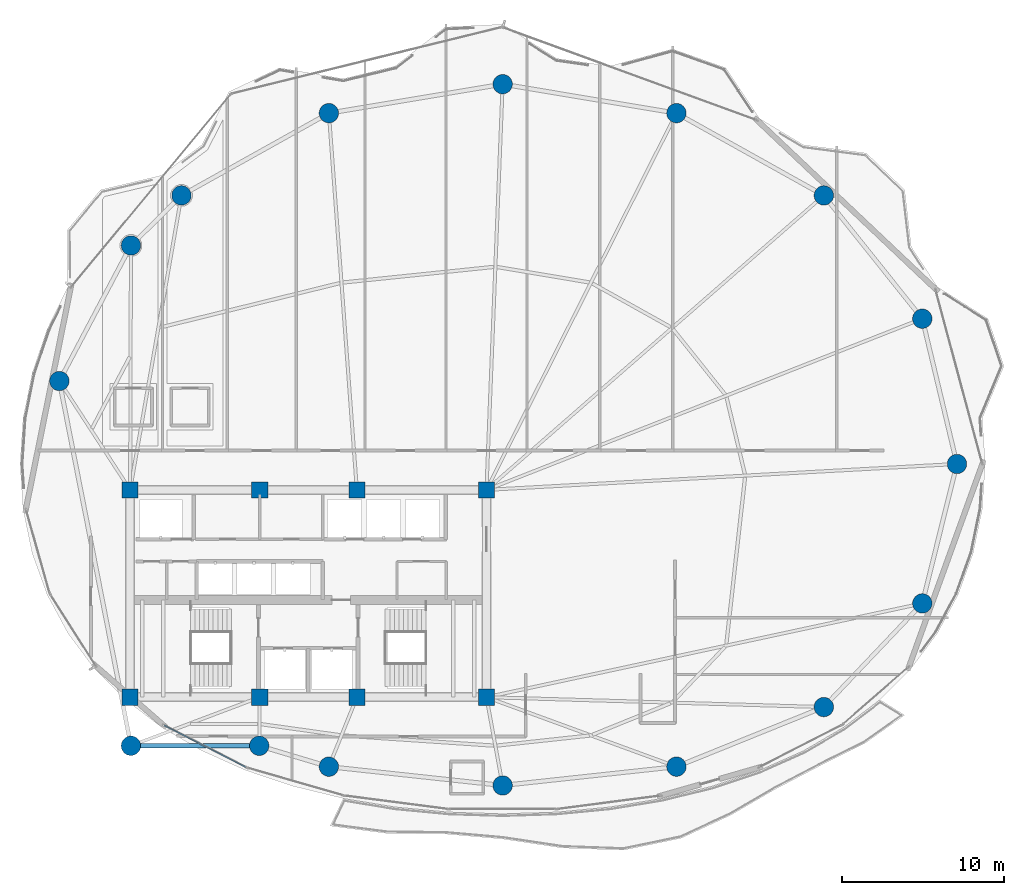
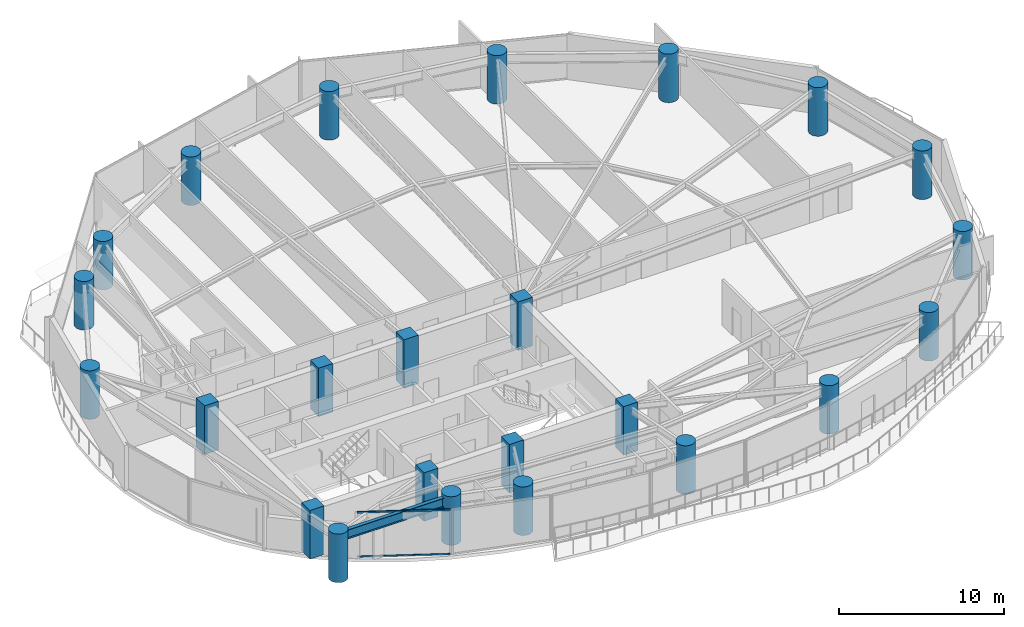
# One storey, part 1 of 28: 24 columns, 2 members, 1 beam, 1 element without a shape of its own.
"""IFC4 building model written with IfcOpenShell, lengths in metres."""

from ifc_helpers import new_model, si_unit, direction, frame, origin, origin_2d, place, context, subcontext, project, spatial, rectangle, hollow_rectangle, circle, i_section, extrude, material, layer, layer_set, material_profile, profile_set, type_object, element, aggregate, save


model = new_model("IFC4")

# Units and contexts
model_context = context("Model", 3, precision=1e-05, world=origin(), true_north=direction((0.0, 1.0)))
body_context = subcontext(model_context, "Body", "Model", "MODEL_VIEW")
ifc_project = project(units=[si_unit("LENGTHUNIT", "METRE"), si_unit("AREAUNIT", "SQUARE_METRE"), si_unit("VOLUMEUNIT", "CUBIC_METRE"), si_unit("PLANEANGLEUNIT", "RADIAN"), si_unit("MASSUNIT", "GRAM", prefix="KILO")], contexts=[model_context])

# Site, building, storey
site_placement = place(None, origin())
site = spatial("IfcSite", under=ifc_project, at=site_placement, CompositionType="ELEMENT")
building_placement = place(site_placement, origin())
building = spatial("IfcBuilding", under=site, at=building_placement, Name="Kazevale Care Tower and Concert Hall", CompositionType="ELEMENT")
storey_placement = place(building_placement, frame((0.0, 0.0, 106.199951171875)))
storey = spatial("IfcBuildingStorey", under=building, at=storey_placement, Name="L27", CompositionType="ELEMENT", Elevation=106.199951171875)

# Columns
ifc_material_1 = material(Name="Concrete C60", Category="concrete")
ifc_material_profile_1 = material_profile(ifc_material_1, rectangle(XDim=1.0, YDim=1.0, at=origin_2d()), Name="RC-SQ1000")
ifc_profile_set_1 = profile_set([ifc_material_profile_1], Name="Concrete C60")
column_type_1 = type_object("IfcColumnType", Name="Core Column SQ1000 C60", PredefinedType="COLUMN", material=ifc_profile_set_1)
for number, where, z_axis, x_axis, name in (
    (1, (22.0, 23.60009765625, 0.0), (0.0, 0.0, 1.0), (1.0, 0.0, 0.0), "col:L27:CC-01"),
    (2, (30.0, 23.60009765625, 0.0), (0.0, 0.0, 1.0), (1.0, 0.0, 0.0), "col:L27:CC-02"),
    (3, (36.0, 23.60009765625, 0.0), (0.0, 0.0, 1.0), (1.0, 0.0, 0.0), "col:L27:CC-03"),
    (4, (44.0, 23.60009765625, 0.0), (0.0, 0.0, 1.0), (1.0, 0.0, 0.0), "col:L27:CC-04"),
    (5, (44.0, 36.39990234375, 0.0), (0.0, 0.0, 1.0), (1.0, 0.0, 0.0), "col:L27:CC-05"),
    (6, (36.0, 36.39990234375, 0.0), (0.0, 0.0, 1.0), (1.0, 0.0, 0.0), "col:L27:CC-06"),
    (7, (30.0, 36.39990234375, 0.0), (0.0, 0.0, 1.0), (1.0, 0.0, 0.0), "col:L27:CC-07"),
    (8, (22.0, 36.39990234375, 0.0), (0.0, 0.0, 1.0), (1.0, 0.0, 0.0), "col:L27:CC-08"),
):
    element("IfcColumn", number, at=place(storey_placement, frame(where, z_axis=z_axis, x_axis=x_axis)), inside=storey, type_object=column_type_1, Name=name, PredefinedType="COLUMN", context=body_context, shape_type="SweptSolid", body=[
        extrude(rectangle(XDim=1.0, YDim=1.0, at=origin_2d()), origin(), (0.0, 0.0, 1.0), 3.60009765625),
    ])
ifc_material_profile_2 = material_profile(ifc_material_1, circle(Radius=0.60009765625, at=origin_2d()), Name="RC-CIR1200")
ifc_profile_set_2 = profile_set([ifc_material_profile_2], Name="Concrete C60")
column_type_2 = type_object("IfcColumnType", Name="Perimeter Column CIR1200 C60", PredefinedType="COLUMN", material=ifc_profile_set_2)
for number, where, z_axis, x_axis, name in (
    (9, (73.050048828125, 38.0, 0.0), (0.0, 0.0, 1.0), (1.0, 0.0, 0.0), "col:L27:PC-01"),
    (10, (70.909912109375, 46.969970703125, 0.0), (0.0, 0.0, 1.0), (1.0, 0.0, 0.0), "col:L27:PC-02"),
    (11, (64.830078125, 54.580078125, 0.0), (0.0, 0.0, 1.0), (1.0, 0.0, 0.0), "col:L27:PC-03"),
    (12, (55.72998046875, 59.659912109375, 0.0), (0.0, 0.0, 1.0), (1.0, 0.0, 0.0), "col:L27:PC-04"),
    (13, (45.0, 61.449951171875, 0.0), (0.0, 0.0, 1.0), (1.0, 0.0, 0.0), "col:L27:PC-05"),
    (14, (34.27001953125, 59.659912109375, 0.0), (0.0, 0.0, 1.0), (1.0, 0.0, 0.0), "col:L27:PC-06"),
    (15, (25.169921875, 54.580078125, 0.0), (0.0, 0.0, 1.0), (1.0, 0.0, 0.0), "col:L27:PC-07"),
    (16, (22.050048828125, 51.489990234375, 0.0), (0.0, 0.0, 1.0), (1.0, 0.0, 0.0), "col:L27:PC-08"),
    (17, (17.6298828125, 43.1201171875, 0.0), (0.0, 0.0, 1.0), (1.0, 0.0, 0.0), "col:L27:PC-09"),
    (18, (22.050048828125, 20.60009765625, 0.0), (0.0, 0.0, 1.0), (1.0, 0.0, 0.0), "col:L27:PC-10"),
    (19, (29.969970703125, 20.60009765625, 0.0), (0.0, 0.0, 1.0), (1.0, 0.0, 0.0), "col:L27:PC-11"),
    (20, (34.27001953125, 19.31005859375, 0.0), (0.0, 0.0, 1.0), (1.0, 0.0, 0.0), "col:L27:PC-12"),
    (21, (45.0, 18.14990234375, 0.0), (0.0, 0.0, 1.0), (1.0, 0.0, 0.0), "col:L27:PC-13"),
    (22, (55.72998046875, 19.31005859375, 0.0), (0.0, 0.0, 1.0), (1.0, 0.0, 0.0), "col:L27:PC-14"),
    (23, (64.830078125, 22.989990234375, 0.0), (0.0, 0.0, 1.0), (1.0, 0.0, 0.0), "col:L27:PC-15"),
    (24, (70.909912109375, 29.389892578125, 0.0), (0.0, 0.0, 1.0), (1.0, 0.0, 0.0), "col:L27:PC-16"),
):
    element("IfcColumn", number, at=place(storey_placement, frame(where, z_axis=z_axis, x_axis=x_axis)), inside=storey, type_object=column_type_2, Name=name, PredefinedType="COLUMN", context=body_context, shape_type="SweptSolid", body=[
        extrude(circle(Radius=0.60009765625, at=origin_2d()), origin(), (0.0, 0.0, 1.0), 3.60009765625),
    ])

# Curtain wall, members
ifc_material_2 = material(Name="Aluminium 6063-T6 and Low-E Glass", Category="aluminium")
ifc_layer = layer(ifc_material_2, 0.179931640625)
ifc_layer_set = layer_set([ifc_layer], Name="Aluminium 6063-T6 and Low-E Glass")
curtain_wall_type = type_object("IfcCurtainWallType", Name="Sheltered Concave Balcony Curtain Wall CW-5", PredefinedType="NOTDEFINED", material=ifc_layer_set)
curtain_wall_placement = place(storey_placement, origin())
curtain_wall = element("IfcCurtainWall", 25, at=curtain_wall_placement, inside=storey, type_object=curtain_wall_type, Name="cw:L27:f09", PredefinedType="NOTDEFINED")
ifc_material_3 = material(Name="Aluminium 6063-T6", Category="aluminium")
ifc_material_profile_3 = material_profile(ifc_material_3, hollow_rectangle(XDim=0.074951171875, YDim=0.1201171875, WallThickness=0.00390625, at=origin_2d()), Name="ALU75x120x4")
ifc_profile_set_3 = profile_set([ifc_material_profile_3], Name="Aluminium 6063-T6")
member_type = type_object("IfcMemberType", Name="CW-5 Transom ALU75x120x4", PredefinedType="USERDEFINED", material=ifc_profile_set_3)
member_1_placement = place(storey_placement, frame((29.144287109375, 19.279296875, 0.03759765625), z_axis=(-0.890142600475, 0.455682072084, 0.0), x_axis=(-0.455682072084, -0.890142600475, 0.0)))
member_1 = element("IfcMember", 26, at=member_1_placement, type_object=member_type, Name="CW-5 transom 1.1", ObjectType="TRANSOM", PredefinedType="USERDEFINED", context=body_context, shape_type="SweptSolid", body=[
    extrude(hollow_rectangle(XDim=0.074951171875, YDim=0.1201171875, WallThickness=0.00390625, at=origin_2d()), origin(), (0.0, 0.0, 1.0), 5.671630859375),
])
member_2_placement = place(storey_placement, frame((29.144287109375, 19.279296875, 3.322509765625), z_axis=(-0.890142600475, 0.455682072084, 0.0), x_axis=(-0.455682072084, -0.890142600475, 0.0)))
member_2 = element("IfcMember", 27, at=member_2_placement, type_object=member_type, Name="CW-5 transom 1.2", ObjectType="TRANSOM", PredefinedType="USERDEFINED", context=body_context, shape_type="SweptSolid", body=[
    extrude(hollow_rectangle(XDim=0.074951171875, YDim=0.1201171875, WallThickness=0.00390625, at=origin_2d()), origin(), (0.0, 0.0, 1.0), 5.671630859375),
])
aggregate(curtain_wall, [member_1, member_2])

# Beam
ifc_material_4 = material(Name="Steel ASTM A572 Gr 50", Category="steel")
ifc_material_profile_4 = material_profile(ifc_material_4, i_section(OverallWidth=0.256103515625, OverallDepth=0.693115234375, WebThickness=0.014404296875, FlangeThickness=0.023681640625, at=origin_2d()), Name="W690x170")
ifc_profile_set_4 = profile_set([ifc_material_profile_4], Name="Steel ASTM A572 Gr 50")
beam_type = type_object("IfcBeamType", Name="Waist Ring Beam W690x170", PredefinedType="BEAM", material=ifc_profile_set_4)
beam_placement = place(storey_placement, frame((22.050048828125, 20.60009765625, 3.013427734375), z_axis=(1.0, 0.0, 0.0), x_axis=(0.0, 1.0, 0.0)))
element("IfcBeam", 28, at=beam_placement, inside=storey, type_object=beam_type, Name="beam:L27:ring:10", PredefinedType="BEAM", context=body_context, shape_type="SweptSolid", body=[
    extrude(i_section(OverallWidth=0.256103515625, OverallDepth=0.693115234375, WebThickness=0.014404296875, FlangeThickness=0.023681640625, at=origin_2d()), origin(), (0.0, 0.0, 1.0), 7.919921875),
])

save(model, "model.ifc")
